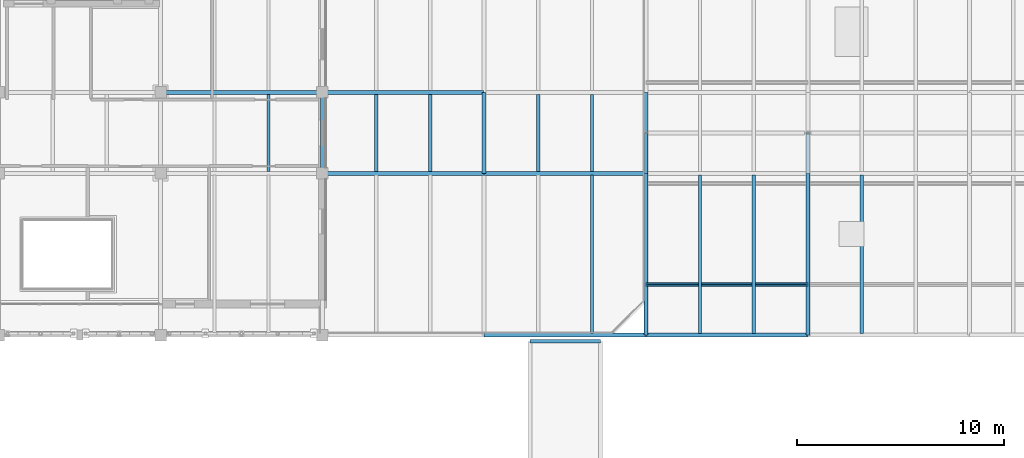
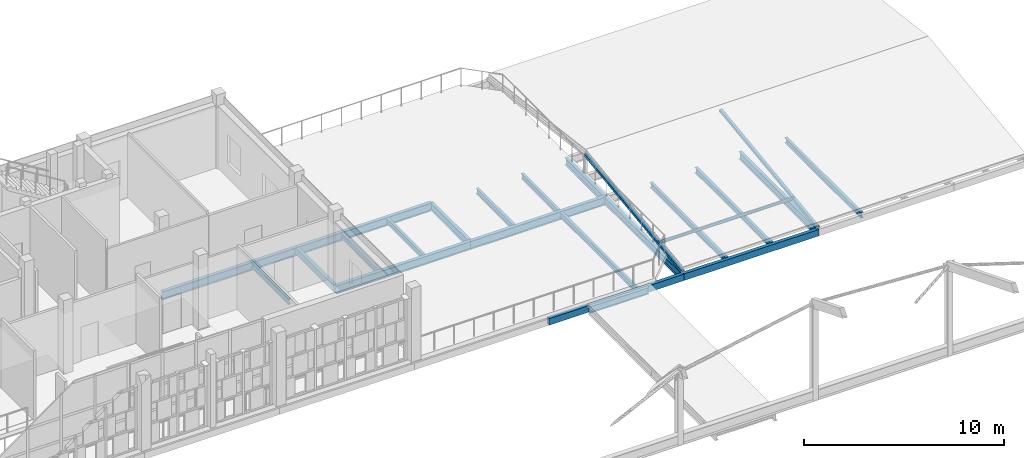
# One storey, part 62 of 119: 21 beams, 3 members.
"""IFC4 building model written with IfcOpenShell, lengths in metres."""

from ifc_helpers import new_model, si_unit, direction, frame, origin, origin_2d, place, context, subcontext, project, spatial, hollow_rectangle, hollow_circle, i_section, extrude, material, material_profile, profile_set, type_object, element, save


model = new_model("IFC4")

# Units and contexts
model_context = context("Model", 3, precision=1e-05, world=origin(), true_north=direction((0.0, 1.0)))
body_context = subcontext(model_context, "Body", "Model", "MODEL_VIEW")
ifc_project = project(units=[si_unit("LENGTHUNIT", "METRE"), si_unit("AREAUNIT", "SQUARE_METRE"), si_unit("VOLUMEUNIT", "CUBIC_METRE"), si_unit("PLANEANGLEUNIT", "RADIAN"), si_unit("MASSUNIT", "GRAM", prefix="KILO")], contexts=[model_context])

# Site, building, storey
site_placement = place(None, origin())
site = spatial("IfcSite", under=ifc_project, at=site_placement, CompositionType="ELEMENT")
building_placement = place(site_placement, origin())
building = spatial("IfcBuilding", under=site, at=building_placement, Name="Celorna Specialist Clinic", CompositionType="ELEMENT")
storey_placement = place(building_placement, frame((0.0, 0.0, 9.60009765625)))
storey = spatial("IfcBuildingStorey", under=building, at=storey_placement, Name="L02", CompositionType="ELEMENT", Elevation=9.60009765625)

# Beams
ifc_material = material(Name="Steel S355", Category="steel")
ifc_material_profile_1 = material_profile(ifc_material, i_section(OverallWidth=0.199951171875, OverallDepth=0.5, WebThickness=0.01025390625, FlangeThickness=0.01611328125, at=origin_2d()), Name="IPE 500")
ifc_profile_set_1 = profile_set([ifc_material_profile_1], Name="Steel S355")
beam_type_1 = type_object("IfcBeamType", Name="BM-08", PredefinedType="BEAM", material=ifc_profile_set_1)
beam_1_placement = place(storey_placement, frame((124.800048828125, 108.199951171875, -0.510009765625), z_axis=(1.0, 0.0, 0.0), x_axis=(0.0, 1.0, 0.0)))
element("IfcBeam", 1, at=beam_1_placement, inside=storey, type_object=beam_type_1, Name="Primary girder BM-08 #1098", PredefinedType="BEAM", context=body_context, shape_type="SweptSolid", body=[
    extrude(i_section(OverallWidth=0.199951171875, OverallDepth=0.5, WebThickness=0.01025390625, FlangeThickness=0.01611328125, at=origin_2d()), origin(), (0.0, 0.0, 1.0), 7.800048828125),
])
beam_2_placement = place(storey_placement, frame((132.60009765625, 104.300048828125, -0.510009765625), z_axis=(1.0, 0.0, 0.0), x_axis=(0.0, 1.0, 0.0)))
element("IfcBeam", 2, at=beam_2_placement, inside=storey, type_object=beam_type_1, Name="Primary girder BM-08 #2252", PredefinedType="BEAM", context=body_context, shape_type="SweptSolid", body=[
    extrude(i_section(OverallWidth=0.199951171875, OverallDepth=0.5, WebThickness=0.01025390625, FlangeThickness=0.01611328125, at=origin_2d()), origin(), (0.0, 0.0, 1.0), 7.7998046875),
])
beam_3_placement = place(storey_placement, frame((140.39990234375, 104.300048828125, -0.510009765625), z_axis=(1.0, 0.0, 0.0), x_axis=(0.0, 1.0, 0.0)))
element("IfcBeam", 3, at=beam_3_placement, inside=storey, type_object=beam_type_1, Name="Primary girder BM-08 #2253", PredefinedType="BEAM", context=body_context, shape_type="SweptSolid", body=[
    extrude(i_section(OverallWidth=0.199951171875, OverallDepth=0.5, WebThickness=0.01025390625, FlangeThickness=0.01611328125, at=origin_2d()), origin(), (0.0, 0.0, 1.0), 7.800048828125),
])
beam_4_placement = place(storey_placement, frame((132.60009765625, 108.199951171875, -0.510009765625), z_axis=(1.0, 0.0, 0.0), x_axis=(0.0, 1.0, 0.0)))
element("IfcBeam", 4, at=beam_4_placement, inside=storey, type_object=beam_type_1, Name="Primary girder BM-08 #2257", PredefinedType="BEAM", context=body_context, shape_type="SweptSolid", body=[
    extrude(i_section(OverallWidth=0.199951171875, OverallDepth=0.5, WebThickness=0.01025390625, FlangeThickness=0.01611328125, at=origin_2d()), origin(), (0.0, 0.0, 1.0), 7.7998046875),
])
ifc_material_profile_2 = material_profile(ifc_material, i_section(OverallWidth=0.18994140625, OverallDepth=0.449951171875, WebThickness=0.009521484375, FlangeThickness=0.0146484375, at=origin_2d()), Name="IPE 450")
ifc_profile_set_2 = profile_set([ifc_material_profile_2], Name="Steel S355")
beam_type_2 = type_object("IfcBeamType", Name="BM-09", PredefinedType="BEAM", material=ifc_profile_set_2)
beam_5_placement = place(storey_placement, frame((140.39990234375, 104.300048828125, -0.485107421875), z_axis=(0.0, 1.0, 0.0), x_axis=(-1.0, 0.0, 0.0)))
element("IfcBeam", 5, at=beam_5_placement, inside=storey, type_object=beam_type_2, Name="Transverse girder BM-09 #2268", PredefinedType="BEAM", context=body_context, shape_type="SweptSolid", body=[
    extrude(i_section(OverallWidth=0.18994140625, OverallDepth=0.449951171875, WebThickness=0.009521484375, FlangeThickness=0.0146484375, at=origin_2d()), origin(), (0.0, 0.0, 1.0), 3.89990234375),
])
beam_6_placement = place(storey_placement, frame((148.199951171875, 96.5, -0.485107421875), z_axis=(0.0, 1.0, 0.0), x_axis=(-1.0, 0.0, 0.0)))
element("IfcBeam", 6, at=beam_6_placement, inside=storey, type_object=beam_type_2, Name="Transverse girder BM-09 #2270", PredefinedType="BEAM", context=body_context, shape_type="SweptSolid", body=[
    extrude(i_section(OverallWidth=0.18994140625, OverallDepth=0.449951171875, WebThickness=0.009521484375, FlangeThickness=0.0146484375, at=origin_2d()), origin(), (0.0, 0.0, 1.0), 7.800048828125),
])
beam_7_placement = place(storey_placement, frame((148.199951171875, 104.300048828125, -0.485107421875), z_axis=(0.0, 1.0, 0.0), x_axis=(-1.0, 0.0, 0.0)))
element("IfcBeam", 7, at=beam_7_placement, inside=storey, type_object=beam_type_2, Name="Transverse girder BM-09 #2271", PredefinedType="BEAM", context=body_context, shape_type="SweptSolid", body=[
    extrude(i_section(OverallWidth=0.18994140625, OverallDepth=0.449951171875, WebThickness=0.009521484375, FlangeThickness=0.0146484375, at=origin_2d()), origin(), (0.0, 0.0, 1.0), 3.89990234375),
])
beam_8_placement = place(storey_placement, frame((156.0, 96.5, -0.485107421875), z_axis=(0.0, 1.0, 0.0), x_axis=(-1.0, 0.0, 0.0)))
element("IfcBeam", 8, at=beam_8_placement, inside=storey, type_object=beam_type_2, Name="Transverse girder BM-09 #2273", PredefinedType="BEAM", context=body_context, shape_type="SweptSolid", body=[
    extrude(i_section(OverallWidth=0.18994140625, OverallDepth=0.449951171875, WebThickness=0.009521484375, FlangeThickness=0.0146484375, at=origin_2d()), origin(), (0.0, 0.0, 1.0), 7.800048828125),
])
ifc_material_profile_3 = material_profile(ifc_material, i_section(OverallWidth=0.179931640625, OverallDepth=0.39990234375, WebThickness=0.008544921875, FlangeThickness=0.013427734375, at=origin_2d()), Name="IPE 400")
ifc_profile_set_3 = profile_set([ifc_material_profile_3], Name="Steel S355")
beam_type_3 = type_object("IfcBeamType", Name="BM-10", PredefinedType="BEAM", material=ifc_profile_set_3)
beam_9_placement = place(storey_placement, frame((142.60009765625, 96.199951171875, -0.340087890625), z_axis=(1.0, 0.0, 0.0), x_axis=(0.0, 1.0, 0.0)))
element("IfcBeam", 9, at=beam_9_placement, inside=storey, type_object=beam_type_3, Name="Bridge BR-05 roof end beam BM-10 #127", PredefinedType="BEAM", context=body_context, shape_type="SweptSolid", body=[
    extrude(i_section(OverallWidth=0.179931640625, OverallDepth=0.39990234375, WebThickness=0.008544921875, FlangeThickness=0.013427734375, at=origin_2d()), origin(), (0.0, 0.0, 1.0), 3.39990234375),
])
ifc_material_profile_4 = material_profile(ifc_material, i_section(OverallWidth=0.159912109375, OverallDepth=0.330078125, WebThickness=0.007568359375, FlangeThickness=0.011474609375, at=origin_2d()), Name="IPE 330")
ifc_profile_set_4 = profile_set([ifc_material_profile_4], Name="Steel S355")
beam_type_4 = type_object("IfcBeamType", Name="BM-12", PredefinedType="JOIST", material=ifc_profile_set_4)
for number, where, z_axis, x_axis, name in (
    (10, (130.0, 104.387939453125, -0.425048828125), (0.0, 1.0, 0.0), (-1.0, 0.0, 0.0), "Secondary floor joist BM-12 #1198"),
    (11, (135.199951171875, 104.387939453125, -0.425048828125), (0.0, 1.0, 0.0), (-1.0, 0.0, 0.0), "Secondary floor joist BM-12 #2284"),
    (12, (137.800048828125, 104.387939453125, -0.425048828125), (0.0, 1.0, 0.0), (-1.0, 0.0, 0.0), "Secondary floor joist BM-12 #2285"),
):
    element("IfcBeam", number, at=place(storey_placement, frame(where, z_axis=z_axis, x_axis=x_axis)), inside=storey, type_object=beam_type_4, Name=name, PredefinedType="JOIST", context=body_context, shape_type="SweptSolid", body=[
        extrude(i_section(OverallWidth=0.159912109375, OverallDepth=0.330078125, WebThickness=0.007568359375, FlangeThickness=0.011474609375, at=origin_2d()), origin(), (0.0, 0.0, 1.0), 3.72412109375),
    ])
beam_10_placement = place(storey_placement, frame((145.60009765625, 96.587890625, -0.425048828125), z_axis=(0.0, 1.0, 0.0), x_axis=(-1.0, 0.0, 0.0)))
element("IfcBeam", 13, at=beam_10_placement, inside=storey, type_object=beam_type_4, Name="Secondary floor joist BM-12 #2289", PredefinedType="JOIST", context=body_context, shape_type="SweptSolid", body=[
    extrude(i_section(OverallWidth=0.159912109375, OverallDepth=0.330078125, WebThickness=0.007568359375, FlangeThickness=0.011474609375, at=origin_2d()), origin(), (0.0, 0.0, 1.0), 7.6240234375),
])
for number, where, z_axis, x_axis, name in (
    (14, (143.0, 104.387939453125, -0.425048828125), (0.0, 1.0, 0.0), (-1.0, 0.0, 0.0), "Secondary floor joist BM-12 #2290"),
    (15, (145.60009765625, 104.387939453125, -0.425048828125), (0.0, 1.0, 0.0), (-1.0, 0.0, 0.0), "Secondary floor joist BM-12 #2291"),
):
    element("IfcBeam", number, at=place(storey_placement, frame(where, z_axis=z_axis, x_axis=x_axis)), inside=storey, type_object=beam_type_4, Name=name, PredefinedType="JOIST", context=body_context, shape_type="SweptSolid", body=[
        extrude(i_section(OverallWidth=0.159912109375, OverallDepth=0.330078125, WebThickness=0.007568359375, FlangeThickness=0.011474609375, at=origin_2d()), origin(), (0.0, 0.0, 1.0), 3.72412109375),
    ])
for number, where, z_axis, x_axis, name in (
    (16, (150.800048828125, 96.587890625, -0.425048828125), (0.0, 1.0, 0.0), (-1.0, 0.0, 0.0), "Secondary floor joist BM-12 #2294"),
    (17, (153.39990234375, 96.587890625, -0.425048828125), (0.0, 1.0, 0.0), (-1.0, 0.0, 0.0), "Secondary floor joist BM-12 #2295"),
    (18, (158.60009765625, 96.587890625, -0.425048828125), (0.0, 1.0, 0.0), (-1.0, 0.0, 0.0), "Secondary floor joist BM-12 #2300"),
):
    element("IfcBeam", number, at=place(storey_placement, frame(where, z_axis=z_axis, x_axis=x_axis)), inside=storey, type_object=beam_type_4, Name=name, PredefinedType="JOIST", context=body_context, shape_type="SweptSolid", body=[
        extrude(i_section(OverallWidth=0.159912109375, OverallDepth=0.330078125, WebThickness=0.007568359375, FlangeThickness=0.011474609375, at=origin_2d()), origin(), (0.0, 0.0, 1.0), 7.6240234375),
    ])
ifc_material_profile_5 = material_profile(ifc_material, hollow_rectangle(XDim=0.199951171875, YDim=0.39990234375, WallThickness=0.011962890625, at=origin_2d()), Name="RHS 200x400x12")
ifc_profile_set_5 = profile_set([ifc_material_profile_5], Name="Steel S355")
beam_type_5 = type_object("IfcBeamType", Name="BM-15", PredefinedType="SPANDREL", material=ifc_profile_set_5)
beam_11_placement = place(storey_placement, frame((132.60009765625, 104.300048828125, -0.460205078125), z_axis=(0.0, 1.0, 0.0), x_axis=(-1.0, 0.0, 0.0)))
element("IfcBeam", 19, at=beam_11_placement, inside=storey, type_object=beam_type_5, Name="Spandrel beam BM-15 #1143", PredefinedType="SPANDREL", context=body_context, shape_type="SweptSolid", body=[
    extrude(hollow_rectangle(XDim=0.199951171875, YDim=0.39990234375, WallThickness=0.011962890625, at=origin_2d()), origin(), (0.0, 0.0, 1.0), 3.89990234375),
])
for number, where, z_axis, x_axis, name in (
    (20, (140.39990234375, 96.5, -0.460205078125), (1.0, 0.0, 0.0), (0.0, 1.0, 0.0), "Spandrel beam BM-15 #2248"),
    (21, (148.199951171875, 96.5, -0.460205078125), (1.0, 0.0, 0.0), (0.0, 1.0, 0.0), "Spandrel beam BM-15 #2249"),
):
    element("IfcBeam", number, at=place(storey_placement, frame(where, z_axis=z_axis, x_axis=x_axis)), inside=storey, type_object=beam_type_5, Name=name, PredefinedType="SPANDREL", context=body_context, shape_type="SweptSolid", body=[
        extrude(hollow_rectangle(XDim=0.199951171875, YDim=0.39990234375, WallThickness=0.011962890625, at=origin_2d()), origin(), (0.0, 0.0, 1.0), 7.800048828125),
    ])

# Members
ifc_material_profile_6 = material_profile(ifc_material, hollow_circle(Radius=0.096923828125, WallThickness=0.010009765625, at=origin_2d()), Name="CHS 193.7x10")
ifc_profile_set_6 = profile_set([ifc_material_profile_6], Name="Steel S355")
member_type_1 = type_object("IfcMemberType", Name="MB-04", PredefinedType="PURLIN", material=ifc_profile_set_6)
member_placement = place(storey_placement, frame((148.199951171875, 98.9375, 0.12548828125), z_axis=(1.0, 0.0, 0.0), x_axis=(0.0, 1.0, 0.0)))
element("IfcMember", 22, at=member_placement, inside=storey, type_object=member_type_1, Name="Roof purlin WP-353-WP-354", PredefinedType="PURLIN", context=body_context, shape_type="SweptSolid", body=[
    extrude(hollow_circle(Radius=0.096923828125, WallThickness=0.010009765625, at=origin_2d()), origin(), (0.0, 0.0, 1.0), 7.800048828125),
])
ifc_material_profile_7 = material_profile(ifc_material, hollow_rectangle(XDim=0.159912109375, YDim=0.159912109375, WallThickness=0.010009765625, at=origin_2d()), Name="SHS 160x160x10")
ifc_profile_set_7 = profile_set([ifc_material_profile_7], Name="Steel S355")
member_type_2 = type_object("IfcMemberType", Name="MB-09", PredefinedType="CHORD", material=ifc_profile_set_7)
for number, where, z_axis, x_axis, name in (
    (23, (148.199951171875, 96.5, -0.2021484375), (0.0, 0.991622826619, 0.129167216148), (-1.0, 0.0, 0.0), "Pitched roof rafter chord WP-347-WP-348"),
    (24, (156.0, 96.5, -0.2021484375), (0.0, 0.991622826619, 0.129167216148), (-1.0, 0.0, 0.0), "Pitched roof rafter chord WP-349-WP-350"),
):
    element("IfcMember", number, at=place(storey_placement, frame(where, z_axis=z_axis, x_axis=x_axis)), inside=storey, type_object=member_type_2, Name=name, PredefinedType="CHORD", context=body_context, shape_type="SweptSolid", body=[
        extrude(hollow_rectangle(XDim=0.159912109375, YDim=0.159912109375, WallThickness=0.010009765625, at=origin_2d()), origin(), (0.0, 0.0, 1.0), 9.832275390625),
    ])

save(model, "model.ifc")
